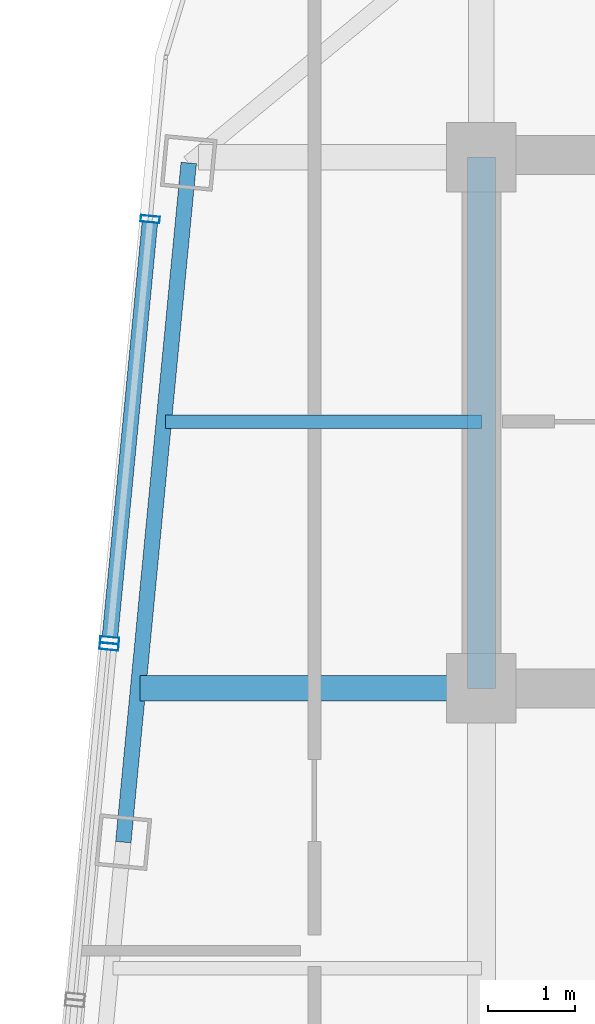
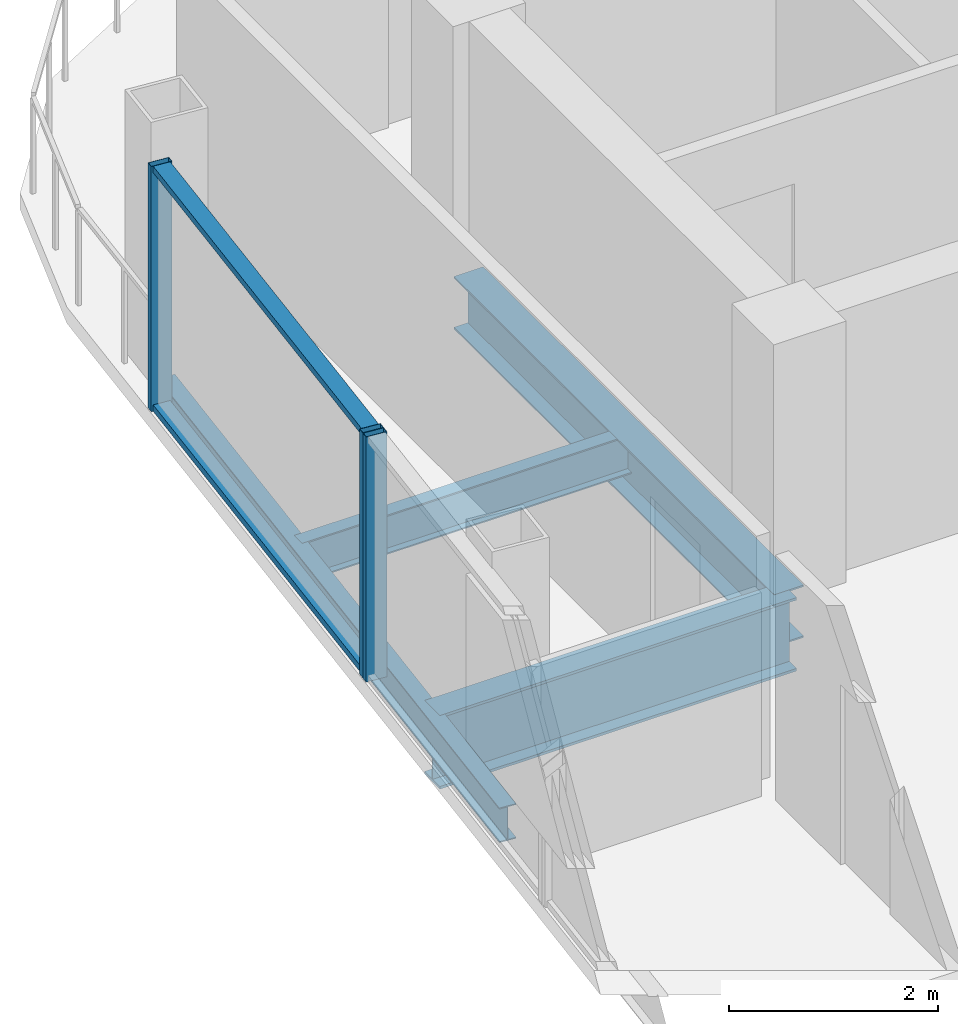
# One storey, part 9 of 23: 5 members, 4 beams, 2 elements without a shape of their own.
"""IFC4 building model written with IfcOpenShell, lengths in metres."""

import ifcopenshell
import ifcopenshell.guid

model = None  # the IFC model being written
_history = None  # IfcOwnerHistory: only IFC2X3 demands one
_inside = {}  # id of a spatial element -> (the spatial element, [elements in it])
_under = {}  # id of a project, library or spatial element -> (it, [spatial elements below it])
_declared = {}  # id of a project -> (the project, [libraries it declares])
_typed = {}  # id of a type object -> (the type object, [elements of that type])
_made_of = {}  # id of a material, layer set ... -> (it, [elements and type objects made of it])


def new_model(schema):
    """Start an empty IFC model of exactly this schema.

    Asked for "IFC4X3", IfcOpenShell would pick the latest addendum, in which some entities
    have other attributes; the version numbers below select the first issue.
    IFC2X3 requires an IfcOwnerHistory on every rooted entity: one is made here for all.
    """
    global model, _history
    if schema == "IFC4X3":
        model = ifcopenshell.file(schema_version=(4, 3, 0, 0))
    else:
        model = ifcopenshell.file(schema=schema)
    _inside.clear()
    _under.clear()
    _declared.clear()
    _typed.clear()
    _made_of.clear()
    _history = None
    if model.schema == "IFC2X3":
        org = make("IfcOrganization", Name="unknown")
        user = make(
            "IfcPersonAndOrganization",
            ThePerson=make("IfcPerson", FamilyName="unknown"),
            TheOrganization=org,
        )
        app = make(
            "IfcApplication",
            ApplicationDeveloper=org,
            Version="unknown",
            ApplicationFullName="unknown",
            ApplicationIdentifier="unknown",
        )
        _history = make(
            "IfcOwnerHistory",
            OwningUser=user,
            OwningApplication=app,
            ChangeAction="ADDED",
            CreationDate=0,
        )
    return model


def make(cls, **values):
    """One entity of the class cls with the attributes given. An attribute that is None is left unset."""
    return model.create_entity(
        cls, **{name: value for name, value in values.items() if value is not None}
    )


def rooted(cls, **values):
    """An entity with a GlobalId (a new one), such as an element, a storey or a relation."""
    return make(cls, GlobalId=ifcopenshell.guid.new(), OwnerHistory=_history, **values)


def si_unit(unit_type, name, prefix=None):
    """IfcSIUnit, for example si_unit("LENGTHUNIT", "METRE", prefix="MILLI")."""
    return make("IfcSIUnit", UnitType=unit_type, Prefix=prefix, Name=name)


def assignment(units):
    """IfcUnitAssignment: the units of a project."""
    return None if units is None else make("IfcUnitAssignment", Units=units)


def point(xyz):
    """IfcCartesianPoint."""
    return None if xyz is None else make("IfcCartesianPoint", Coordinates=xyz)


def direction(xyz):
    """IfcDirection."""
    return None if xyz is None else make("IfcDirection", DirectionRatios=xyz)


def frame(location, z_axis=None, x_axis=None):
    """IfcAxis2Placement3D, a coordinate frame: its origin and axes. An axis left out is left unset."""
    return make(
        "IfcAxis2Placement3D",
        Location=point(location),
        Axis=direction(z_axis),
        RefDirection=direction(x_axis),
    )


def frame_2d(location, x_axis=None):
    """IfcAxis2Placement2D, a coordinate frame in the plane: its origin and x axis."""
    return make(
        "IfcAxis2Placement2D", Location=point(location), RefDirection=direction(x_axis)
    )


def origin():
    """The frame at (0, 0, 0) with its axes left unset."""
    return frame((0.0, 0.0, 0.0))


def origin_2d():
    """The frame at (0, 0) in the plane with its x axis left unset."""
    return frame_2d((0.0, 0.0))


def place(relative_to, where):
    """IfcLocalPlacement: puts the frame where relative to a parent placement (None: the world)."""
    return make(
        "IfcLocalPlacement", PlacementRelTo=relative_to, RelativePlacement=where
    )


def context(
    kind, dimensions, precision=None, world=None, true_north=None, identifier=None
):
    """IfcGeometricRepresentationContext, for example the 3D "Model" context."""
    return make(
        "IfcGeometricRepresentationContext",
        ContextIdentifier=identifier,
        ContextType=kind,
        CoordinateSpaceDimension=dimensions,
        Precision=precision,
        WorldCoordinateSystem=world,
        TrueNorth=true_north,
    )


def subcontext(parent, identifier, kind, view, scale=None):
    """IfcGeometricRepresentationSubContext, for example "Body" below "Model"."""
    return make(
        "IfcGeometricRepresentationSubContext",
        ContextIdentifier=identifier,
        ContextType=kind,
        ParentContext=parent,
        TargetScale=scale,
        TargetView=view,
    )


def project(units=None, contexts=None):
    """IfcProject with its units and contexts."""
    return rooted(
        "IfcProject",
        Name="project",
        RepresentationContexts=contexts,
        UnitsInContext=assignment(units),
    )


def spatial(cls, under=None, at=None, **own):
    """A site, building, storey or space (cls), placed at a placement, below another one or the project."""
    s = rooted(cls, ObjectPlacement=at, **own)
    if under is not None:
        _under.setdefault(under.id(), (under, []))[1].append(s)
    return s


def profile(cls, at=None, kind="AREA", **sizes):
    """A parametric profile (cls). Its sizes go by their IFC names, for example OverallWidth=200.0."""
    return make(cls, ProfileType=kind, Position=at, **sizes)


def hollow_rectangle(**sizes):
    """IfcRectangleHollowProfileDef."""
    return profile("IfcRectangleHollowProfileDef", **sizes)


def i_section(**sizes):
    """IfcIShapeProfileDef."""
    return profile("IfcIShapeProfileDef", **sizes)


def extrude(swept, where, along, depth):
    """IfcExtrudedAreaSolid: the profile swept, set in the frame where, extruded along a direction by depth."""
    return make(
        "IfcExtrudedAreaSolid",
        SweptArea=swept,
        Position=where,
        ExtrudedDirection=direction(along),
        Depth=depth,
    )


def shape(context_of_items, identifier, shape_type, items):
    """IfcShapeRepresentation: the items that make up one representation, for example the "Body"."""
    return make(
        "IfcShapeRepresentation",
        ContextOfItems=context_of_items,
        RepresentationIdentifier=identifier,
        RepresentationType=shape_type,
        Items=items,
    )


def material(Name=None, Category=None):
    """IfcMaterial."""
    return make("IfcMaterial", Name=Name, Category=Category)


def layer(
    of_material, thickness, ventilated=None, Name=None, Category=None, Priority=None
):
    """IfcMaterialLayer: one layer of a wall or slab, of a material (None: an air gap)."""
    return make(
        "IfcMaterialLayer",
        Material=of_material,
        LayerThickness=thickness,
        IsVentilated=ventilated,
        Name=Name,
        Category=Category,
        Priority=Priority,
    )


def layer_set(layers, Name=None):
    """IfcMaterialLayerSet."""
    return make("IfcMaterialLayerSet", MaterialLayers=layers, LayerSetName=Name)


def material_profile(
    of_material, cross_section, Name=None, Category=None, Priority=None
):
    """IfcMaterialProfile: a cross section and its material."""
    return make(
        "IfcMaterialProfile",
        Name=Name,
        Material=of_material,
        Profile=cross_section,
        Priority=Priority,
        Category=Category,
    )


def profile_set(profiles, Name=None, composite=None):
    """IfcMaterialProfileSet."""
    return make(
        "IfcMaterialProfileSet",
        Name=Name,
        MaterialProfiles=profiles,
        CompositeProfile=composite,
    )


def made_of(thing, what):
    """Note that an element or type object is made of a material, layer set ...; save() writes the relation."""
    if what is not None:
        _made_of.setdefault(what.id(), (what, []))[1].append(thing)
    return thing


def type_object(cls, material=None, **own):
    """A type object (cls), such as IfcWallType, which elements share."""
    return made_of(rooted(cls, **own), material)


def element(
    cls,
    number,
    at=None,
    inside=None,
    cuts=None,
    type_object=None,
    material=None,
    context=None,
    identifier="Body",
    shape_type=None,
    held_by="IfcProductDefinitionShape",
    body=None,
    shapes=None,
    **own,
):
    """One element of the class cls, such as IfcWall. Its Tag is "e" and its number.

    at: its placement. inside: the storey or other place that contains it. cuts: it is an
    opening in that element (IfcRelVoidsElement). A single representation is given by context,
    identifier, shape_type and body (its items); several are given by shapes. held_by: the class
    of the entity that holds the representations. save() writes the other relations.
    """
    e = rooted(cls, Tag="e%d" % number, ObjectPlacement=at, **own)
    if body is not None:
        shapes = [shape(context, identifier, shape_type, body)]
    if shapes is not None:
        e.Representation = make(held_by, Representations=shapes)
    if inside is not None:
        _inside.setdefault(inside.id(), (inside, []))[1].append(e)
    if cuts is not None:
        rooted(
            "IfcRelVoidsElement", RelatingBuildingElement=cuts, RelatedOpeningElement=e
        )
    if type_object is not None:
        _typed.setdefault(type_object.id(), (type_object, []))[1].append(e)
    return made_of(e, material)


def aggregate(whole, parts):
    """IfcRelAggregates: a whole, such as a stair, and the parts it consists of."""
    return rooted("IfcRelAggregates", RelatingObject=whole, RelatedObjects=parts)


def save(model, path):
    """Write the relations noted so far, then the file.

    IfcRelAggregates (storeys below a building ...), IfcRelContainedInSpatialStructure (elements
    in a storey), IfcRelDefinesByType, IfcRelAssociatesMaterial and IfcRelDeclares: one each for
    every whole, place, type object, material and project.
    """
    for whole, parts in _under.values():
        aggregate(whole, parts)
    for where, things in _inside.values():
        rooted(
            "IfcRelContainedInSpatialStructure",
            RelatedElements=things,
            RelatingStructure=where,
        )
    for kind, things in _typed.values():
        rooted("IfcRelDefinesByType", RelatedObjects=things, RelatingType=kind)
    for what, things in _made_of.values():
        rooted("IfcRelAssociatesMaterial", RelatedObjects=things, RelatingMaterial=what)
    for by, libraries in _declared.values():
        rooted("IfcRelDeclares", RelatingContext=by, RelatedDefinitions=libraries)
    model.write(path)


model = new_model("IFC4")

# Units and contexts
model_context = context("Model", 3, precision=1e-05, world=origin(), true_north=direction((0.0, 1.0)))
body_context = subcontext(model_context, "Body", "Model", "MODEL_VIEW")
ifc_project = project(units=[si_unit("LENGTHUNIT", "METRE"), si_unit("AREAUNIT", "SQUARE_METRE"), si_unit("VOLUMEUNIT", "CUBIC_METRE"), si_unit("PLANEANGLEUNIT", "RADIAN"), si_unit("MASSUNIT", "GRAM", prefix="KILO")], contexts=[model_context])

# Site, building, storey
site_placement = place(None, origin())
site = spatial("IfcSite", under=ifc_project, at=site_placement, CompositionType="ELEMENT")
building_placement = place(site_placement, origin())
building = spatial("IfcBuilding", under=site, at=building_placement, Name="Qhalaya Broadcast Tower", CompositionType="ELEMENT")
storey_placement = place(building_placement, frame((0.0, 0.0, 264.199951171875)))
storey = spatial("IfcBuildingStorey", under=building, at=storey_placement, Name="L78", CompositionType="ELEMENT", Elevation=264.199951171875)

# Beams
ifc_material_1 = material(Name="Structural Steel ASTM A992 Grade 50", Category="steel")
ifc_material_profile_1 = material_profile(ifc_material_1, i_section(OverallWidth=0.154052734375, OverallDepth=0.458984375, WebThickness=0.009033203125, FlangeThickness=0.015380859375, at=origin_2d()), Name="W18X46")
ifc_profile_set_1 = profile_set([ifc_material_profile_1], Name="Structural Steel ASTM A992 Grade 50")
beam_type_1 = type_object("IfcBeamType", Name="Composite Floor Joist J04", PredefinedType="JOIST", material=ifc_profile_set_1)
beam_1_placement = place(storey_placement, frame((-13.015625, 6.89990234375, -0.41943359375), z_axis=(1.0, 0.0, 0.0), x_axis=(0.0, 1.0, 0.0)))
element("IfcBeam", 1, at=beam_1_placement, inside=storey, type_object=beam_type_1, Name="L78 J04 L78-JWE5W-1", PredefinedType="JOIST", context=body_context, shape_type="SweptSolid", body=[
    extrude(i_section(OverallWidth=0.154052734375, OverallDepth=0.458984375, WebThickness=0.009033203125, FlangeThickness=0.015380859375, at=origin_2d()), origin(), (0.0, 0.0, 1.0), 3.640625),
])
ifc_material_profile_2 = material_profile(ifc_material_1, i_section(OverallWidth=0.323974609375, OverallDepth=0.612060546875, WebThickness=0.0126953125, FlangeThickness=0.01904296875, at=origin_2d()), Name="W24X104")
ifc_profile_set_2 = profile_set([ifc_material_profile_2], Name="Structural Steel ASTM A992 Grade 50")
beam_type_2 = type_object("IfcBeamType", Name="Core Frame Tie Beam B04", PredefinedType="BEAM", material=ifc_profile_set_2)
beam_2_placement = place(storey_placement, frame((-9.375, 3.824951171875, -0.495849609375), z_axis=(0.0, 1.0, 0.0), x_axis=(-1.0, 0.0, 0.0)))
element("IfcBeam", 2, at=beam_2_placement, inside=storey, type_object=beam_type_2, Name="L78 B04 L78-CCN2", PredefinedType="BEAM", context=body_context, shape_type="SweptSolid", body=[
    extrude(i_section(OverallWidth=0.323974609375, OverallDepth=0.612060546875, WebThickness=0.0126953125, FlangeThickness=0.01904296875, at=origin_2d()), origin(), (0.0, 0.0, 1.0), 6.125),
])

# Curtain wall, members
ifc_material_2 = material(Name="Fired Architectural Terracotta", Category="masonry")
ifc_layer_1 = layer(ifc_material_2, 0.219970703125, Name="Fired Architectural Terracotta")
ifc_layer_set_1 = layer_set([ifc_layer_1], Name="Fired Architectural Terracotta")
curtain_wall_type_1 = type_object("IfcCurtainWallType", Name="Block-Cap Unitised Terracotta Spandrel Wall CW-07", PredefinedType="NOTDEFINED", material=ifc_layer_set_1)
curtain_wall_1_placement = place(storey_placement, origin())
curtain_wall_1 = element("IfcCurtainWall", 3, at=curtain_wall_1_placement, inside=storey, type_object=curtain_wall_type_1, Name="L78 Unitised Curtain Wall L78-CW-W1", PredefinedType="NOTDEFINED")
ifc_material_3 = material(Name="Anodised Aluminium 6063-T6", Category="aluminium")
ifc_material_profile_3 = material_profile(ifc_material_3, hollow_rectangle(XDim=0.074951171875, YDim=0.219970703125, WallThickness=0.00390625, at=origin_2d()), Name="ALU-MUL 75x220x4")
ifc_profile_set_3 = profile_set([ifc_material_profile_3], Name="Anodised Aluminium 6063-T6")
member_type_1 = type_object("IfcMemberType", Name="Unitised Curtain-Wall Mullion M01", PredefinedType="MULLION", material=ifc_profile_set_3)
member_1_placement = place(storey_placement, frame((-13.192626953125, 9.235107421875, 0.0), z_axis=(0.0, 0.0, 1.0), x_axis=(-0.095840154905, -0.99539673734, 0.0)))
member_1 = element("IfcMember", 4, at=member_1_placement, type_object=member_type_1, Name="CW-07 mullion 1", PredefinedType="MULLION", context=body_context, shape_type="SweptSolid", body=[
    extrude(hollow_rectangle(XDim=0.074951171875, YDim=0.219970703125, WallThickness=0.00390625, at=origin_2d()), origin(), (0.0, 0.0, 1.0), 2.860107421875),
])
member_2_placement = place(storey_placement, frame((-13.659912109375, 4.380615234375, 0.0), z_axis=(0.0, 0.0, 1.0), x_axis=(-0.095840154905, -0.99539673734, 0.0)))
member_2 = element("IfcMember", 5, at=member_2_placement, type_object=member_type_1, Name="CW-07 mullion 2", PredefinedType="MULLION", context=body_context, shape_type="SweptSolid", body=[
    extrude(hollow_rectangle(XDim=0.074951171875, YDim=0.219970703125, WallThickness=0.00390625, at=origin_2d()), origin(), (0.0, 0.0, 1.0), 2.860107421875),
])

# Curtain wall, member
ifc_material_4 = material(Name="Solar-Control Low-E Triple Glazing", Category="glass")
ifc_layer_2 = layer(ifc_material_4, 0.219970703125, Name="Solar-Control Low-E Triple Glazing")
ifc_layer_set_2 = layer_set([ifc_layer_2], Name="Solar-Control Low-E Triple Glazing")
curtain_wall_type_2 = type_object("IfcCurtainWallType", Name="High-Altitude Upper-Shaft Triple Low-E Curtain Wall CW-04", PredefinedType="NOTDEFINED", material=ifc_layer_set_2)
curtain_wall_2_placement = place(storey_placement, origin())
curtain_wall_2 = element("IfcCurtainWall", 6, at=curtain_wall_2_placement, inside=storey, type_object=curtain_wall_type_2, Name="L78 Unitised Curtain Wall L78-CW-W2", PredefinedType="NOTDEFINED")
member_3_placement = place(storey_placement, frame((-13.667236328125, 4.305908203125, 0.0), z_axis=(0.0, 0.0, 1.0), x_axis=(-0.095859120729, -0.995394911064, 0.0)))
member_3 = element("IfcMember", 7, at=member_3_placement, type_object=member_type_1, Name="CW-04 mullion 1", PredefinedType="MULLION", context=body_context, shape_type="SweptSolid", body=[
    extrude(hollow_rectangle(XDim=0.074951171875, YDim=0.219970703125, WallThickness=0.00390625, at=origin_2d()), origin(), (0.0, 0.0, 1.0), 2.860107421875),
])
aggregate(curtain_wall_2, [member_3])

# Member
ifc_material_profile_4 = material_profile(ifc_material_3, hollow_rectangle(XDim=0.074951171875, YDim=0.179931640625, WallThickness=0.00390625, at=origin_2d()), Name="ALU-TRN 75x180x4")
ifc_profile_set_4 = profile_set([ifc_material_profile_4], Name="Anodised Aluminium 6063-T6")
member_type_2 = type_object("IfcMemberType", Name="Unitised Curtain-Wall Transom T01", PredefinedType="USERDEFINED", material=ifc_profile_set_4)
member_4_placement = place(storey_placement, frame((-13.1962890625, 9.19775390625, 0.03759765625), z_axis=(-0.095838348035, -0.99539691131, 0.0), x_axis=(0.0, 0.0, 1.0)))
member_4 = element("IfcMember", 8, at=member_4_placement, type_object=member_type_2, Name="CW-07 transom 1.1", ObjectType="TRANSOM", PredefinedType="USERDEFINED", context=body_context, shape_type="SweptSolid", body=[
    extrude(hollow_rectangle(XDim=0.074951171875, YDim=0.179931640625, WallThickness=0.00390625, at=origin_2d()), origin(), (0.0, 0.0, 1.0), 4.802001953125),
])

member_5_placement = place(storey_placement, frame((-13.1962890625, 9.19775390625, 2.822509765625), z_axis=(-0.095838348035, -0.99539691131, 0.0), x_axis=(0.0, 0.0, 1.0)))
member_5 = element("IfcMember", 9, at=member_5_placement, type_object=member_type_2, Name="CW-07 transom 1.2", ObjectType="TRANSOM", PredefinedType="USERDEFINED", context=body_context, shape_type="SweptSolid", body=[
    extrude(hollow_rectangle(XDim=0.074951171875, YDim=0.179931640625, WallThickness=0.00390625, at=origin_2d()), origin(), (0.0, 0.0, 1.0), 4.802001953125),
])

aggregate(curtain_wall_1, [member_1, member_2, member_4, member_5])

# Beams
ifc_material_profile_5 = material_profile(ifc_material_1, i_section(OverallWidth=0.2919921875, OverallDepth=0.85888671875, WebThickness=0.01708984375, FlangeThickness=0.031005859375, at=origin_2d()), Name="W33X169")
ifc_profile_set_5 = profile_set([ifc_material_profile_5], Name="Structural Steel ASTM A992 Grade 50")
beam_type_3 = type_object("IfcBeamType", Name="Upper Block Primary Girder PG4", PredefinedType="USERDEFINED", material=ifc_profile_set_5)
beam_3_placement = place(storey_placement, frame((-13.311767578125, 3.824951171875, -0.619384765625), z_axis=(1.0, 0.0, 0.0), x_axis=(0.0, 1.0, 0.0)))
element("IfcBeam", 10, at=beam_3_placement, inside=storey, type_object=beam_type_3, Name="L78 PG4 L78-PGYW3-1", ObjectType="GIRDER", PredefinedType="USERDEFINED", context=body_context, shape_type="SweptSolid", body=[
    extrude(i_section(OverallWidth=0.2919921875, OverallDepth=0.85888671875, WebThickness=0.01708984375, FlangeThickness=0.031005859375, at=origin_2d()), origin(), (0.0, 0.0, 1.0), 3.936767578125),
])
ifc_material_profile_6 = material_profile(ifc_material_1, i_section(OverallWidth=0.177978515625, OverallDepth=0.406005859375, WebThickness=0.0078125, FlangeThickness=0.0126953125, at=origin_2d()), Name="W16X40")
ifc_profile_set_6 = profile_set([ifc_material_profile_6], Name="Structural Steel ASTM A992 Grade 50")
beam_type_4 = type_object("IfcBeamType", Name="Upper Perimeter Spandrel Beam SP2", PredefinedType="SPANDREL", material=ifc_profile_set_6)
beam_4_placement = place(storey_placement, frame((-12.74853515625, 9.883056640625, -0.39306640625), z_axis=(-0.095834223619, -0.995397308407, 0.0), x_axis=(0.995397308407, -0.095834223619, 0.0)))
element("IfcBeam", 11, at=beam_4_placement, inside=storey, type_object=beam_type_4, Name="L78 SP2 L78-SPR-13", PredefinedType="SPANDREL", context=body_context, shape_type="SweptSolid", body=[
    extrude(i_section(OverallWidth=0.177978515625, OverallDepth=0.406005859375, WebThickness=0.0078125, FlangeThickness=0.0126953125, at=origin_2d()), origin(), (0.0, 0.0, 1.0), 7.86669921875),
])

save(model, "model.ifc")
